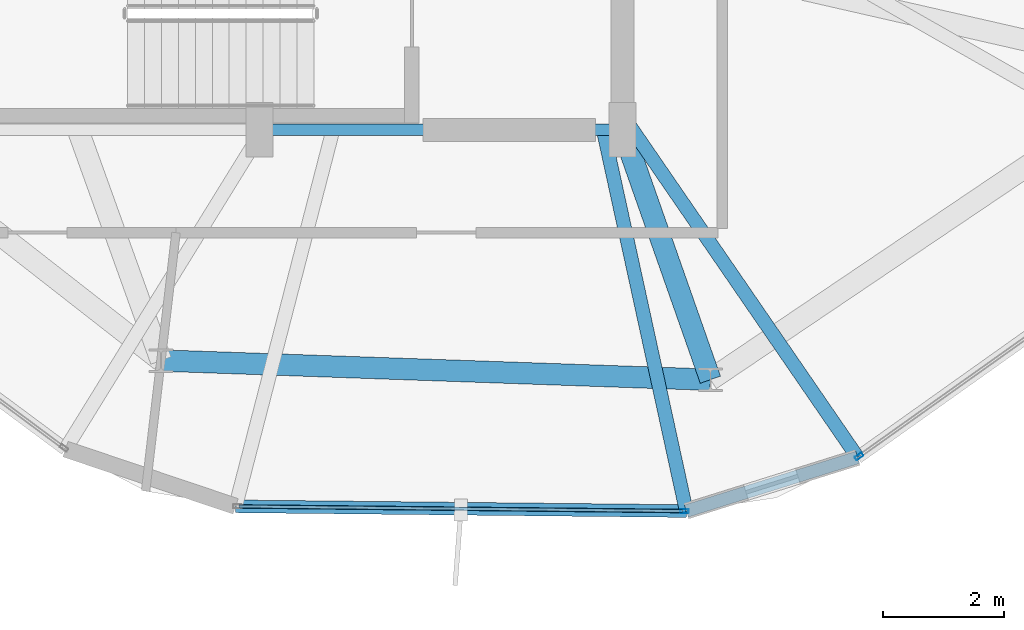
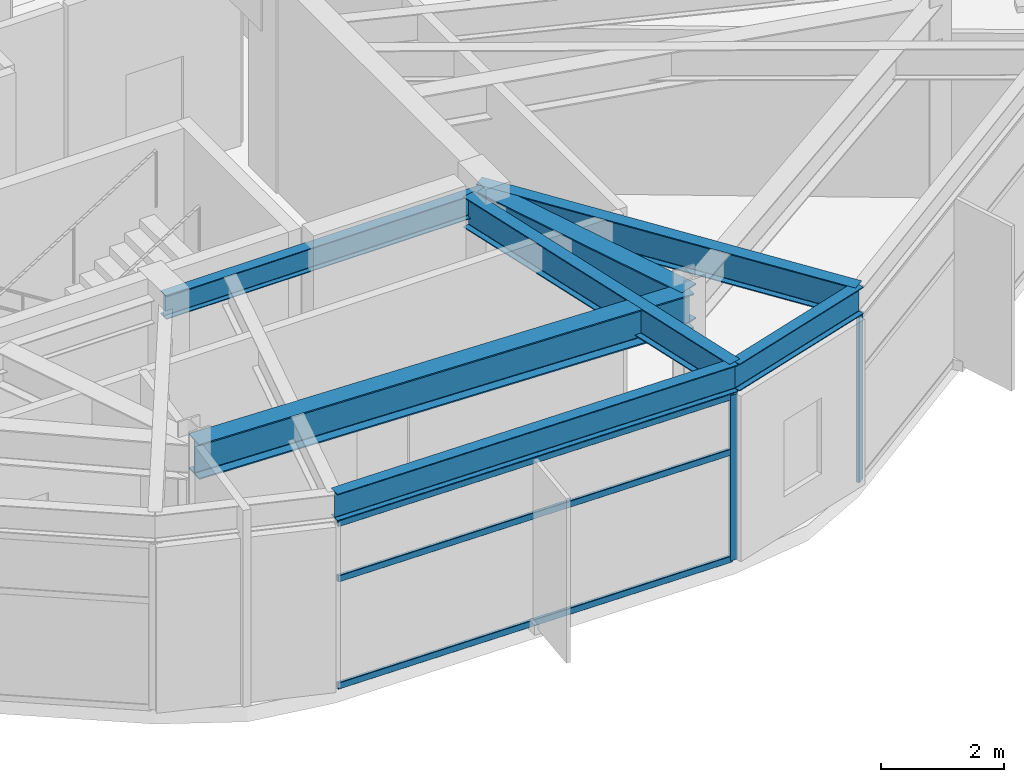
# One storey, part 4 of 19: 7 beams, 5 members, 2 elements without a shape of their own.
"""IFC4 building model written with IfcOpenShell, lengths in metres."""

import ifcopenshell
import ifcopenshell.guid

model = None  # the IFC model being written
_history = None  # IfcOwnerHistory: only IFC2X3 demands one
_inside = {}  # id of a spatial element -> (the spatial element, [elements in it])
_under = {}  # id of a project, library or spatial element -> (it, [spatial elements below it])
_declared = {}  # id of a project -> (the project, [libraries it declares])
_typed = {}  # id of a type object -> (the type object, [elements of that type])
_made_of = {}  # id of a material, layer set ... -> (it, [elements and type objects made of it])


def new_model(schema):
    """Start an empty IFC model of exactly this schema.

    Asked for "IFC4X3", IfcOpenShell would pick the latest addendum, in which some entities
    have other attributes; the version numbers below select the first issue.
    IFC2X3 requires an IfcOwnerHistory on every rooted entity: one is made here for all.
    """
    global model, _history
    if schema == "IFC4X3":
        model = ifcopenshell.file(schema_version=(4, 3, 0, 0))
    else:
        model = ifcopenshell.file(schema=schema)
    _inside.clear()
    _under.clear()
    _declared.clear()
    _typed.clear()
    _made_of.clear()
    _history = None
    if model.schema == "IFC2X3":
        org = make("IfcOrganization", Name="unknown")
        user = make(
            "IfcPersonAndOrganization",
            ThePerson=make("IfcPerson", FamilyName="unknown"),
            TheOrganization=org,
        )
        app = make(
            "IfcApplication",
            ApplicationDeveloper=org,
            Version="unknown",
            ApplicationFullName="unknown",
            ApplicationIdentifier="unknown",
        )
        _history = make(
            "IfcOwnerHistory",
            OwningUser=user,
            OwningApplication=app,
            ChangeAction="ADDED",
            CreationDate=0,
        )
    return model


def make(cls, **values):
    """One entity of the class cls with the attributes given. An attribute that is None is left unset."""
    return model.create_entity(
        cls, **{name: value for name, value in values.items() if value is not None}
    )


def rooted(cls, **values):
    """An entity with a GlobalId (a new one), such as an element, a storey or a relation."""
    return make(cls, GlobalId=ifcopenshell.guid.new(), OwnerHistory=_history, **values)


def si_unit(unit_type, name, prefix=None):
    """IfcSIUnit, for example si_unit("LENGTHUNIT", "METRE", prefix="MILLI")."""
    return make("IfcSIUnit", UnitType=unit_type, Prefix=prefix, Name=name)


def assignment(units):
    """IfcUnitAssignment: the units of a project."""
    return None if units is None else make("IfcUnitAssignment", Units=units)


def point(xyz):
    """IfcCartesianPoint."""
    return None if xyz is None else make("IfcCartesianPoint", Coordinates=xyz)


def direction(xyz):
    """IfcDirection."""
    return None if xyz is None else make("IfcDirection", DirectionRatios=xyz)


def frame(location, z_axis=None, x_axis=None):
    """IfcAxis2Placement3D, a coordinate frame: its origin and axes. An axis left out is left unset."""
    return make(
        "IfcAxis2Placement3D",
        Location=point(location),
        Axis=direction(z_axis),
        RefDirection=direction(x_axis),
    )


def frame_2d(location, x_axis=None):
    """IfcAxis2Placement2D, a coordinate frame in the plane: its origin and x axis."""
    return make(
        "IfcAxis2Placement2D", Location=point(location), RefDirection=direction(x_axis)
    )


def origin():
    """The frame at (0, 0, 0) with its axes left unset."""
    return frame((0.0, 0.0, 0.0))


def origin_2d():
    """The frame at (0, 0) in the plane with its x axis left unset."""
    return frame_2d((0.0, 0.0))


def place(relative_to, where):
    """IfcLocalPlacement: puts the frame where relative to a parent placement (None: the world)."""
    return make(
        "IfcLocalPlacement", PlacementRelTo=relative_to, RelativePlacement=where
    )


def context(
    kind, dimensions, precision=None, world=None, true_north=None, identifier=None
):
    """IfcGeometricRepresentationContext, for example the 3D "Model" context."""
    return make(
        "IfcGeometricRepresentationContext",
        ContextIdentifier=identifier,
        ContextType=kind,
        CoordinateSpaceDimension=dimensions,
        Precision=precision,
        WorldCoordinateSystem=world,
        TrueNorth=true_north,
    )


def subcontext(parent, identifier, kind, view, scale=None):
    """IfcGeometricRepresentationSubContext, for example "Body" below "Model"."""
    return make(
        "IfcGeometricRepresentationSubContext",
        ContextIdentifier=identifier,
        ContextType=kind,
        ParentContext=parent,
        TargetScale=scale,
        TargetView=view,
    )


def project(units=None, contexts=None):
    """IfcProject with its units and contexts."""
    return rooted(
        "IfcProject",
        Name="project",
        RepresentationContexts=contexts,
        UnitsInContext=assignment(units),
    )


def spatial(cls, under=None, at=None, **own):
    """A site, building, storey or space (cls), placed at a placement, below another one or the project."""
    s = rooted(cls, ObjectPlacement=at, **own)
    if under is not None:
        _under.setdefault(under.id(), (under, []))[1].append(s)
    return s


def profile(cls, at=None, kind="AREA", **sizes):
    """A parametric profile (cls). Its sizes go by their IFC names, for example OverallWidth=200.0."""
    return make(cls, ProfileType=kind, Position=at, **sizes)


def hollow_rectangle(**sizes):
    """IfcRectangleHollowProfileDef."""
    return profile("IfcRectangleHollowProfileDef", **sizes)


def i_section(**sizes):
    """IfcIShapeProfileDef."""
    return profile("IfcIShapeProfileDef", **sizes)


def extrude(swept, where, along, depth):
    """IfcExtrudedAreaSolid: the profile swept, set in the frame where, extruded along a direction by depth."""
    return make(
        "IfcExtrudedAreaSolid",
        SweptArea=swept,
        Position=where,
        ExtrudedDirection=direction(along),
        Depth=depth,
    )


def shape(context_of_items, identifier, shape_type, items):
    """IfcShapeRepresentation: the items that make up one representation, for example the "Body"."""
    return make(
        "IfcShapeRepresentation",
        ContextOfItems=context_of_items,
        RepresentationIdentifier=identifier,
        RepresentationType=shape_type,
        Items=items,
    )


def material(Name=None, Category=None):
    """IfcMaterial."""
    return make("IfcMaterial", Name=Name, Category=Category)


def layer(
    of_material, thickness, ventilated=None, Name=None, Category=None, Priority=None
):
    """IfcMaterialLayer: one layer of a wall or slab, of a material (None: an air gap)."""
    return make(
        "IfcMaterialLayer",
        Material=of_material,
        LayerThickness=thickness,
        IsVentilated=ventilated,
        Name=Name,
        Category=Category,
        Priority=Priority,
    )


def layer_set(layers, Name=None):
    """IfcMaterialLayerSet."""
    return make("IfcMaterialLayerSet", MaterialLayers=layers, LayerSetName=Name)


def material_profile(
    of_material, cross_section, Name=None, Category=None, Priority=None
):
    """IfcMaterialProfile: a cross section and its material."""
    return make(
        "IfcMaterialProfile",
        Name=Name,
        Material=of_material,
        Profile=cross_section,
        Priority=Priority,
        Category=Category,
    )


def profile_set(profiles, Name=None, composite=None):
    """IfcMaterialProfileSet."""
    return make(
        "IfcMaterialProfileSet",
        Name=Name,
        MaterialProfiles=profiles,
        CompositeProfile=composite,
    )


def made_of(thing, what):
    """Note that an element or type object is made of a material, layer set ...; save() writes the relation."""
    if what is not None:
        _made_of.setdefault(what.id(), (what, []))[1].append(thing)
    return thing


def type_object(cls, material=None, **own):
    """A type object (cls), such as IfcWallType, which elements share."""
    return made_of(rooted(cls, **own), material)


def element(
    cls,
    number,
    at=None,
    inside=None,
    cuts=None,
    type_object=None,
    material=None,
    context=None,
    identifier="Body",
    shape_type=None,
    held_by="IfcProductDefinitionShape",
    body=None,
    shapes=None,
    **own,
):
    """One element of the class cls, such as IfcWall. Its Tag is "e" and its number.

    at: its placement. inside: the storey or other place that contains it. cuts: it is an
    opening in that element (IfcRelVoidsElement). A single representation is given by context,
    identifier, shape_type and body (its items); several are given by shapes. held_by: the class
    of the entity that holds the representations. save() writes the other relations.
    """
    e = rooted(cls, Tag="e%d" % number, ObjectPlacement=at, **own)
    if body is not None:
        shapes = [shape(context, identifier, shape_type, body)]
    if shapes is not None:
        e.Representation = make(held_by, Representations=shapes)
    if inside is not None:
        _inside.setdefault(inside.id(), (inside, []))[1].append(e)
    if cuts is not None:
        rooted(
            "IfcRelVoidsElement", RelatingBuildingElement=cuts, RelatedOpeningElement=e
        )
    if type_object is not None:
        _typed.setdefault(type_object.id(), (type_object, []))[1].append(e)
    return made_of(e, material)


def aggregate(whole, parts):
    """IfcRelAggregates: a whole, such as a stair, and the parts it consists of."""
    return rooted("IfcRelAggregates", RelatingObject=whole, RelatedObjects=parts)


def save(model, path):
    """Write the relations noted so far, then the file.

    IfcRelAggregates (storeys below a building ...), IfcRelContainedInSpatialStructure (elements
    in a storey), IfcRelDefinesByType, IfcRelAssociatesMaterial and IfcRelDeclares: one each for
    every whole, place, type object, material and project.
    """
    for whole, parts in _under.values():
        aggregate(whole, parts)
    for where, things in _inside.values():
        rooted(
            "IfcRelContainedInSpatialStructure",
            RelatedElements=things,
            RelatingStructure=where,
        )
    for kind, things in _typed.values():
        rooted("IfcRelDefinesByType", RelatedObjects=things, RelatingType=kind)
    for what, things in _made_of.values():
        rooted("IfcRelAssociatesMaterial", RelatedObjects=things, RelatingMaterial=what)
    for by, libraries in _declared.values():
        rooted("IfcRelDeclares", RelatingContext=by, RelatedDefinitions=libraries)
    model.write(path)


model = new_model("IFC4")

# Units and contexts
model_context = context("Model", 3, precision=1e-05, world=origin(), true_north=direction((0.0, 1.0)))
body_context = subcontext(model_context, "Body", "Model", "MODEL_VIEW")
ifc_project = project(units=[si_unit("LENGTHUNIT", "METRE"), si_unit("AREAUNIT", "SQUARE_METRE"), si_unit("VOLUMEUNIT", "CUBIC_METRE"), si_unit("PLANEANGLEUNIT", "RADIAN"), si_unit("MASSUNIT", "GRAM", prefix="KILO")], contexts=[model_context])

# Site, building, storey
site_placement = place(None, origin())
site = spatial("IfcSite", under=ifc_project, at=site_placement, CompositionType="ELEMENT")
building_placement = place(site_placement, origin())
building = spatial("IfcBuilding", under=site, at=building_placement, Name="Soratama Intermodal Tower", CompositionType="ELEMENT")
storey_placement = place(building_placement, frame((0.0, 0.0, 297.25)))
storey = spatial("IfcBuildingStorey", under=building, at=storey_placement, Name="L75", CompositionType="ELEMENT", Elevation=297.25)

# Beams
ifc_material_1 = material(Name="Structural steel ASTM A992 Grade 50", Category="steel")
ifc_material_profile_1 = material_profile(ifc_material_1, i_section(OverallWidth=0.19091796875, OverallDepth=0.4599609375, WebThickness=0.010009765625, FlangeThickness=0.01611328125, FilletRadius=0.010986328125, at=origin_2d()), Name="W18X55")
ifc_profile_set_1 = profile_set([ifc_material_profile_1], Name="Structural steel ASTM A992 Grade 50")
beam_type_1 = type_object("IfcBeamType", Name="BM-FLR-W18X55", PredefinedType="BEAM", material=ifc_profile_set_1)
beam_1_placement = place(storey_placement, frame((38.60009765625, 15.0, 3.6650390625), z_axis=(1.0, 0.0, 0.0), x_axis=(0.0, 1.0, 0.0)))
element("IfcBeam", 1, at=beam_1_placement, inside=storey, type_object=beam_type_1, Name="BM-L75-CRING-02", PredefinedType="BEAM", context=body_context, shape_type="SweptSolid", body=[
    extrude(i_section(OverallWidth=0.19091796875, OverallDepth=0.4599609375, WebThickness=0.010009765625, FlangeThickness=0.01611328125, FilletRadius=0.010986328125, at=origin_2d()), origin(), (0.0, 0.0, 1.0), 6.0),
])
ifc_material_2 = material(Name="Structural steel ASTM A992 Grade 50", Category="steel")
ifc_material_profile_2 = material_profile(ifc_material_2, i_section(OverallWidth=0.35498046875, OverallDepth=0.695068359375, WebThickness=0.015380859375, FlangeThickness=0.02490234375, FilletRadius=0.01611328125, at=origin_2d()), Name="W27X146")
ifc_profile_set_2 = profile_set([ifc_material_profile_2], Name="Structural steel ASTM A992 Grade 50")
beam_type_2 = type_object("IfcBeamType", Name="BM-RING-W27X146", PredefinedType="BEAM", material=ifc_profile_set_2)
beam_2_placement = place(storey_placement, frame((36.971923828125, 11.18701171875, 3.547607421875), z_axis=(0.999391551516, -0.034878743651, 0.0), x_axis=(0.034878743651, 0.999391551516, 0.0)))
element("IfcBeam", 2, at=beam_2_placement, inside=storey, type_object=beam_type_2, Name="BM-L75-RING-07", PredefinedType="BEAM", context=body_context, shape_type="SweptSolid", body=[
    extrude(i_section(OverallWidth=0.35498046875, OverallDepth=0.695068359375, WebThickness=0.015380859375, FlangeThickness=0.02490234375, FilletRadius=0.01611328125, at=origin_2d()), origin(), (0.0, 0.0, 1.0), 9.085693359375),
])
beam_3_placement = place(storey_placement, frame((44.60009765625, 15.0, 3.547607421875), z_axis=(0.331661746867, -0.943398370608, 0.0), x_axis=(0.943398370608, 0.331661746867, 0.0)))
element("IfcBeam", 3, at=beam_3_placement, inside=storey, type_object=beam_type_2, Name="BM-L75-RAD-08", PredefinedType="BEAM", context=body_context, shape_type="SweptSolid", body=[
    extrude(i_section(OverallWidth=0.35498046875, OverallDepth=0.695068359375, WebThickness=0.015380859375, FlangeThickness=0.02490234375, FilletRadius=0.01611328125, at=origin_2d()), origin(), (0.0, 0.0, 1.0), 4.377685546875),
])
ifc_material_3 = material(Name="Structural steel ASTM A992 Grade 50", Category="steel")
ifc_material_profile_3 = material_profile(ifc_material_3, i_section(OverallWidth=0.2099609375, OverallDepth=0.537109375, WebThickness=0.010986328125, FlangeThickness=0.017333984375, FilletRadius=0.012939453125, at=origin_2d()), Name="W21X68")
ifc_profile_set_3 = profile_set([ifc_material_profile_3], Name="Structural steel ASTM A992 Grade 50")
beam_type_3 = type_object("IfcBeamType", Name="BM-SPN-W21X68", PredefinedType="SPANDREL", material=ifc_profile_set_3)
beam_4_placement = place(storey_placement, frame((38.205078125, 8.777099609375, 3.62646484375), z_axis=(0.999945005248, -0.010487443928, 0.0), x_axis=(0.010487443928, 0.999945005248, 0.0)))
element("IfcBeam", 4, at=beam_4_placement, inside=storey, type_object=beam_type_3, Name="BS-L75-F06", PredefinedType="SPANDREL", context=body_context, shape_type="SweptSolid", body=[
    extrude(i_section(OverallWidth=0.2099609375, OverallDepth=0.537109375, WebThickness=0.010986328125, FlangeThickness=0.017333984375, FilletRadius=0.012939453125, at=origin_2d()), origin(), (0.0, 0.0, 1.0), 7.449462890625),
])
beam_5_placement = place(storey_placement, frame((45.654052734375, 8.698974609375, 3.62646484375), z_axis=(0.954263012949, 0.29896839652, 0.0), x_axis=(-0.29896839652, 0.954263012949, 0.0)))
element("IfcBeam", 5, at=beam_5_placement, inside=storey, type_object=beam_type_3, Name="BS-L75-CRN06", PredefinedType="SPANDREL", context=body_context, shape_type="SweptSolid", body=[
    extrude(i_section(OverallWidth=0.2099609375, OverallDepth=0.537109375, WebThickness=0.010986328125, FlangeThickness=0.017333984375, FilletRadius=0.012939453125, at=origin_2d()), origin(), (0.0, 0.0, 1.0), 2.966796875),
])
ifc_material_4 = material(Name="Structural steel ASTM A992 Grade 50", Category="steel")
ifc_material_profile_4 = material_profile(ifc_material_4, i_section(OverallWidth=0.22900390625, OverallDepth=0.612060546875, WebThickness=0.011962890625, FlangeThickness=0.01953125, FilletRadius=0.012939453125, at=origin_2d()), Name="W24X84")
ifc_profile_set_4 = profile_set([ifc_material_profile_4], Name="Structural steel ASTM A992 Grade 50")
beam_type_4 = type_object("IfcBeamType", Name="BM-TIE-W24X84", PredefinedType="BEAM", material=ifc_profile_set_4)
beam_6_placement = place(storey_placement, frame((44.2890625, 14.9609375, 3.589111328125), z_axis=(0.212979970288, -0.977056565536, 0.0), x_axis=(0.977056565536, 0.212979970288, 0.0)))
element("IfcBeam", 6, at=beam_6_placement, inside=storey, type_object=beam_type_4, Name="BM-L75-TIE1-06", PredefinedType="BEAM", context=body_context, shape_type="SweptSolid", body=[
    extrude(i_section(OverallWidth=0.22900390625, OverallDepth=0.612060546875, WebThickness=0.011962890625, FlangeThickness=0.01953125, FilletRadius=0.012939453125, at=origin_2d()), origin(), (0.0, 0.0, 1.0), 6.408935546875),
])
beam_7_placement = place(storey_placement, frame((44.623046875, 15.205078125, 3.589111328125), z_axis=(0.566419404566, -0.824117138598, 0.0), x_axis=(0.824117138598, 0.566419404566, 0.0)))
element("IfcBeam", 7, at=beam_7_placement, inside=storey, type_object=beam_type_4, Name="BM-L75-TIE0-07", PredefinedType="BEAM", context=body_context, shape_type="SweptSolid", body=[
    extrude(i_section(OverallWidth=0.22900390625, OverallDepth=0.612060546875, WebThickness=0.011962890625, FlangeThickness=0.01953125, FilletRadius=0.012939453125, at=origin_2d()), origin(), (0.0, 0.0, 1.0), 6.818359375),
])

# Curtain wall, member
ifc_material_5 = material(Name="Double-glazed aluminium curtain wall", Category="aluminium")
ifc_layer = layer(ifc_material_5, 0.159912109375)
ifc_layer_set = layer_set([ifc_layer], Name="Double-glazed aluminium curtain wall")
curtain_wall_type = type_object("IfcCurtainWallType", Name="CW-SYS-6", PredefinedType="NOTDEFINED", material=ifc_layer_set)
curtain_wall_1_placement = place(storey_placement, origin())
curtain_wall_1 = element("IfcCurtainWall", 8, at=curtain_wall_1_placement, inside=storey, type_object=curtain_wall_type, Name="L75 Faceted Curtain Wall F06", PredefinedType="NOTDEFINED")
ifc_material_6 = material(Name="Anodised aluminium AA 6063-T6", Category="aluminium")
ifc_material_profile_5 = material_profile(ifc_material_6, hollow_rectangle(XDim=0.06494140625, YDim=0.139892578125, WallThickness=0.0048828125, InnerFilletRadius=0.0048828125, OuterFilletRadius=0.010009765625, at=origin_2d()), Name="CWM140X65X5")
ifc_profile_set_5 = profile_set([ifc_material_profile_5], Name="Anodised aluminium AA 6063-T6")
member_type_1 = type_object("IfcMemberType", Name="MT-CWM-6", PredefinedType="MULLION", material=ifc_profile_set_5)
member_1_placement = place(storey_placement, frame((45.6240234375, 8.69921875, 0.0), z_axis=(0.0, 0.0, 1.0), x_axis=(0.010470911273, 0.999945178506, 0.0)))
member_1 = element("IfcMember", 9, at=member_1_placement, type_object=member_type_1, Name="CW-6 mullion 2", PredefinedType="MULLION", context=body_context, shape_type="SweptSolid", body=[
    extrude(hollow_rectangle(XDim=0.06494140625, YDim=0.139892578125, WallThickness=0.0048828125, InnerFilletRadius=0.0048828125, OuterFilletRadius=0.010009765625, at=origin_2d()), origin(), (0.0, 0.0, 1.0), 3.27392578125),
])

curtain_wall_2_placement = place(storey_placement, origin())
curtain_wall_2 = element("IfcCurtainWall", 10, at=curtain_wall_2_placement, inside=storey, type_object=curtain_wall_type, Name="L75 Faceted Curtain Wall F07", PredefinedType="NOTDEFINED")
member_2_placement = place(storey_placement, frame((48.50927734375, 9.603271484375, 0.0), z_axis=(0.0, 0.0, 1.0), x_axis=(-0.579286007364, 0.815124359636, 0.0)))
member_2 = element("IfcMember", 11, at=member_2_placement, type_object=member_type_1, Name="CW-6 mullion 1", PredefinedType="MULLION", context=body_context, shape_type="SweptSolid", body=[
    extrude(hollow_rectangle(XDim=0.06494140625, YDim=0.139892578125, WallThickness=0.0048828125, InnerFilletRadius=0.0048828125, OuterFilletRadius=0.010009765625, at=origin_2d()), origin(), (0.0, 0.0, 1.0), 3.27392578125),
])
aggregate(curtain_wall_2, [member_2])

# Member
ifc_material_7 = material(Name="Anodised aluminium AA 6063-T6", Category="aluminium")
ifc_material_profile_6 = material_profile(ifc_material_7, hollow_rectangle(XDim=0.06005859375, YDim=0.1298828125, WallThickness=0.0048828125, InnerFilletRadius=0.0048828125, OuterFilletRadius=0.010009765625, at=origin_2d()), Name="CWT130X60X5")
ifc_profile_set_6 = profile_set([ifc_material_profile_6], Name="Anodised aluminium AA 6063-T6")
member_type_2 = type_object("IfcMemberType", Name="TT-CWT-2", PredefinedType="USERDEFINED", material=ifc_profile_set_6)
member_3_placement = place(storey_placement, frame((38.265380859375, 8.776123046875, 0.030029296875), z_axis=(0.999945294605, -0.010459818193, 0.0), x_axis=(0.010459818193, 0.999945294605, 0.0)))
member_3 = element("IfcMember", 12, at=member_3_placement, type_object=member_type_2, Name="CW-6 transom 1.1", ObjectType="TRANSOM", PredefinedType="USERDEFINED", context=body_context, shape_type="SweptSolid", body=[
    extrude(hollow_rectangle(XDim=0.06005859375, YDim=0.1298828125, WallThickness=0.0048828125, InnerFilletRadius=0.0048828125, OuterFilletRadius=0.010009765625, at=origin_2d()), origin(), (0.0, 0.0, 1.0), 7.3291015625),
])

member_4_placement = place(storey_placement, frame((38.265380859375, 8.776123046875, 2.14990234375), z_axis=(0.999945294605, -0.010459818193, 0.0), x_axis=(0.010459818193, 0.999945294605, 0.0)))
member_4 = element("IfcMember", 13, at=member_4_placement, type_object=member_type_2, Name="CW-6 transom 1.2", ObjectType="TRANSOM", PredefinedType="USERDEFINED", context=body_context, shape_type="SweptSolid", body=[
    extrude(hollow_rectangle(XDim=0.06005859375, YDim=0.1298828125, WallThickness=0.0048828125, InnerFilletRadius=0.0048828125, OuterFilletRadius=0.010009765625, at=origin_2d()), origin(), (0.0, 0.0, 1.0), 7.3291015625),
])

member_5_placement = place(storey_placement, frame((38.265380859375, 8.776123046875, 3.243896484375), z_axis=(0.999945294605, -0.010459818193, 0.0), x_axis=(0.010459818193, 0.999945294605, 0.0)))
member_5 = element("IfcMember", 14, at=member_5_placement, type_object=member_type_2, Name="CW-6 transom 1.3", ObjectType="TRANSOM", PredefinedType="USERDEFINED", context=body_context, shape_type="SweptSolid", body=[
    extrude(hollow_rectangle(XDim=0.06005859375, YDim=0.1298828125, WallThickness=0.0048828125, InnerFilletRadius=0.0048828125, OuterFilletRadius=0.010009765625, at=origin_2d()), origin(), (0.0, 0.0, 1.0), 7.3291015625),
])

aggregate(curtain_wall_1, [member_1, member_3, member_4, member_5])

save(model, "model.ifc")
